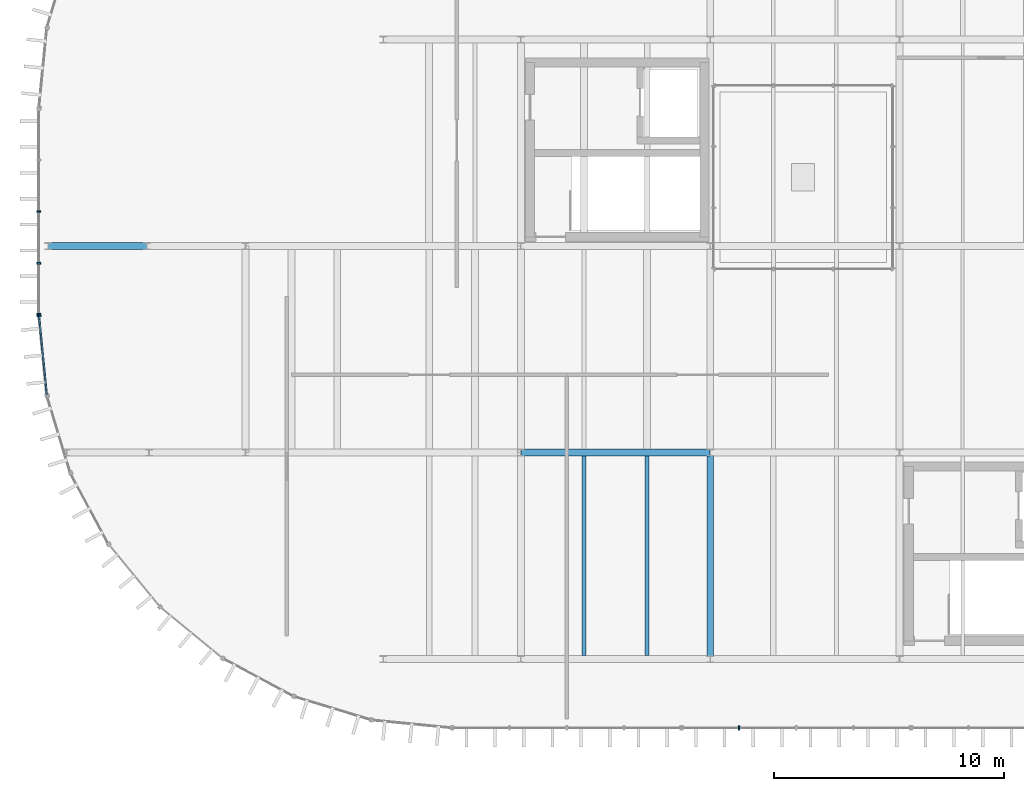
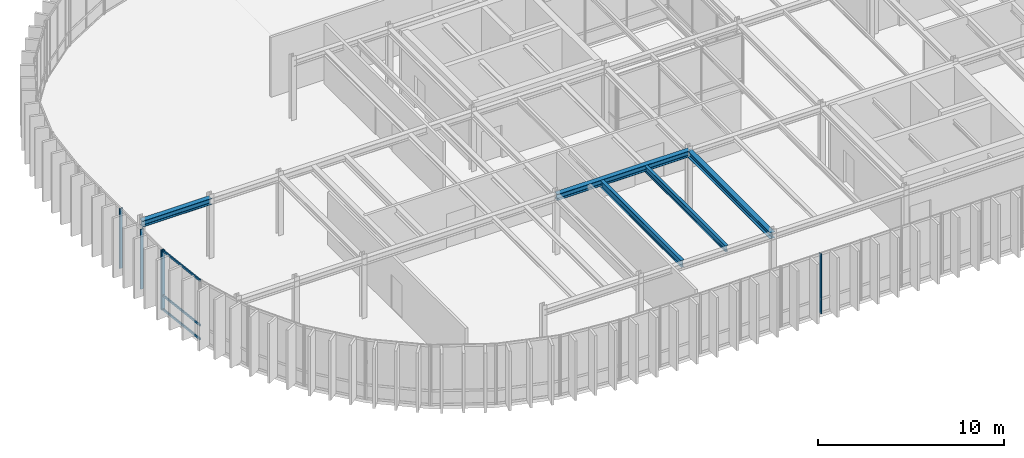
# One storey, part 7 of 21: 8 members, 5 beams, 3 elements without a shape of their own.
"""IFC4 building model written with IfcOpenShell, lengths in metres."""

import ifcopenshell
import ifcopenshell.guid

model = None  # the IFC model being written
_history = None  # IfcOwnerHistory: only IFC2X3 demands one
_inside = {}  # id of a spatial element -> (the spatial element, [elements in it])
_under = {}  # id of a project, library or spatial element -> (it, [spatial elements below it])
_declared = {}  # id of a project -> (the project, [libraries it declares])
_typed = {}  # id of a type object -> (the type object, [elements of that type])
_made_of = {}  # id of a material, layer set ... -> (it, [elements and type objects made of it])


def new_model(schema):
    """Start an empty IFC model of exactly this schema.

    Asked for "IFC4X3", IfcOpenShell would pick the latest addendum, in which some entities
    have other attributes; the version numbers below select the first issue.
    IFC2X3 requires an IfcOwnerHistory on every rooted entity: one is made here for all.
    """
    global model, _history
    if schema == "IFC4X3":
        model = ifcopenshell.file(schema_version=(4, 3, 0, 0))
    else:
        model = ifcopenshell.file(schema=schema)
    _inside.clear()
    _under.clear()
    _declared.clear()
    _typed.clear()
    _made_of.clear()
    _history = None
    if model.schema == "IFC2X3":
        org = make("IfcOrganization", Name="unknown")
        user = make(
            "IfcPersonAndOrganization",
            ThePerson=make("IfcPerson", FamilyName="unknown"),
            TheOrganization=org,
        )
        app = make(
            "IfcApplication",
            ApplicationDeveloper=org,
            Version="unknown",
            ApplicationFullName="unknown",
            ApplicationIdentifier="unknown",
        )
        _history = make(
            "IfcOwnerHistory",
            OwningUser=user,
            OwningApplication=app,
            ChangeAction="ADDED",
            CreationDate=0,
        )
    return model


def make(cls, **values):
    """One entity of the class cls with the attributes given. An attribute that is None is left unset."""
    return model.create_entity(
        cls, **{name: value for name, value in values.items() if value is not None}
    )


def rooted(cls, **values):
    """An entity with a GlobalId (a new one), such as an element, a storey or a relation."""
    return make(cls, GlobalId=ifcopenshell.guid.new(), OwnerHistory=_history, **values)


def si_unit(unit_type, name, prefix=None):
    """IfcSIUnit, for example si_unit("LENGTHUNIT", "METRE", prefix="MILLI")."""
    return make("IfcSIUnit", UnitType=unit_type, Prefix=prefix, Name=name)


def assignment(units):
    """IfcUnitAssignment: the units of a project."""
    return None if units is None else make("IfcUnitAssignment", Units=units)


def point(xyz):
    """IfcCartesianPoint."""
    return None if xyz is None else make("IfcCartesianPoint", Coordinates=xyz)


def direction(xyz):
    """IfcDirection."""
    return None if xyz is None else make("IfcDirection", DirectionRatios=xyz)


def frame(location, z_axis=None, x_axis=None):
    """IfcAxis2Placement3D, a coordinate frame: its origin and axes. An axis left out is left unset."""
    return make(
        "IfcAxis2Placement3D",
        Location=point(location),
        Axis=direction(z_axis),
        RefDirection=direction(x_axis),
    )


def frame_2d(location, x_axis=None):
    """IfcAxis2Placement2D, a coordinate frame in the plane: its origin and x axis."""
    return make(
        "IfcAxis2Placement2D", Location=point(location), RefDirection=direction(x_axis)
    )


def origin():
    """The frame at (0, 0, 0) with its axes left unset."""
    return frame((0.0, 0.0, 0.0))


def origin_2d():
    """The frame at (0, 0) in the plane with its x axis left unset."""
    return frame_2d((0.0, 0.0))


def place(relative_to, where):
    """IfcLocalPlacement: puts the frame where relative to a parent placement (None: the world)."""
    return make(
        "IfcLocalPlacement", PlacementRelTo=relative_to, RelativePlacement=where
    )


def context(
    kind, dimensions, precision=None, world=None, true_north=None, identifier=None
):
    """IfcGeometricRepresentationContext, for example the 3D "Model" context."""
    return make(
        "IfcGeometricRepresentationContext",
        ContextIdentifier=identifier,
        ContextType=kind,
        CoordinateSpaceDimension=dimensions,
        Precision=precision,
        WorldCoordinateSystem=world,
        TrueNorth=true_north,
    )


def subcontext(parent, identifier, kind, view, scale=None):
    """IfcGeometricRepresentationSubContext, for example "Body" below "Model"."""
    return make(
        "IfcGeometricRepresentationSubContext",
        ContextIdentifier=identifier,
        ContextType=kind,
        ParentContext=parent,
        TargetScale=scale,
        TargetView=view,
    )


def project(units=None, contexts=None):
    """IfcProject with its units and contexts."""
    return rooted(
        "IfcProject",
        Name="project",
        RepresentationContexts=contexts,
        UnitsInContext=assignment(units),
    )


def spatial(cls, under=None, at=None, **own):
    """A site, building, storey or space (cls), placed at a placement, below another one or the project."""
    s = rooted(cls, ObjectPlacement=at, **own)
    if under is not None:
        _under.setdefault(under.id(), (under, []))[1].append(s)
    return s


def profile(cls, at=None, kind="AREA", **sizes):
    """A parametric profile (cls). Its sizes go by their IFC names, for example OverallWidth=200.0."""
    return make(cls, ProfileType=kind, Position=at, **sizes)


def rectangle(**sizes):
    """IfcRectangleProfileDef."""
    return profile("IfcRectangleProfileDef", **sizes)


def i_section(**sizes):
    """IfcIShapeProfileDef."""
    return profile("IfcIShapeProfileDef", **sizes)


def extrude(swept, where, along, depth):
    """IfcExtrudedAreaSolid: the profile swept, set in the frame where, extruded along a direction by depth."""
    return make(
        "IfcExtrudedAreaSolid",
        SweptArea=swept,
        Position=where,
        ExtrudedDirection=direction(along),
        Depth=depth,
    )


def shape(context_of_items, identifier, shape_type, items):
    """IfcShapeRepresentation: the items that make up one representation, for example the "Body"."""
    return make(
        "IfcShapeRepresentation",
        ContextOfItems=context_of_items,
        RepresentationIdentifier=identifier,
        RepresentationType=shape_type,
        Items=items,
    )


def material(Name=None, Category=None):
    """IfcMaterial."""
    return make("IfcMaterial", Name=Name, Category=Category)


def layer(
    of_material, thickness, ventilated=None, Name=None, Category=None, Priority=None
):
    """IfcMaterialLayer: one layer of a wall or slab, of a material (None: an air gap)."""
    return make(
        "IfcMaterialLayer",
        Material=of_material,
        LayerThickness=thickness,
        IsVentilated=ventilated,
        Name=Name,
        Category=Category,
        Priority=Priority,
    )


def layer_set(layers, Name=None):
    """IfcMaterialLayerSet."""
    return make("IfcMaterialLayerSet", MaterialLayers=layers, LayerSetName=Name)


def material_profile(
    of_material, cross_section, Name=None, Category=None, Priority=None
):
    """IfcMaterialProfile: a cross section and its material."""
    return make(
        "IfcMaterialProfile",
        Name=Name,
        Material=of_material,
        Profile=cross_section,
        Priority=Priority,
        Category=Category,
    )


def profile_set(profiles, Name=None, composite=None):
    """IfcMaterialProfileSet."""
    return make(
        "IfcMaterialProfileSet",
        Name=Name,
        MaterialProfiles=profiles,
        CompositeProfile=composite,
    )


def made_of(thing, what):
    """Note that an element or type object is made of a material, layer set ...; save() writes the relation."""
    if what is not None:
        _made_of.setdefault(what.id(), (what, []))[1].append(thing)
    return thing


def type_object(cls, material=None, **own):
    """A type object (cls), such as IfcWallType, which elements share."""
    return made_of(rooted(cls, **own), material)


def element(
    cls,
    number,
    at=None,
    inside=None,
    cuts=None,
    type_object=None,
    material=None,
    context=None,
    identifier="Body",
    shape_type=None,
    held_by="IfcProductDefinitionShape",
    body=None,
    shapes=None,
    **own,
):
    """One element of the class cls, such as IfcWall. Its Tag is "e" and its number.

    at: its placement. inside: the storey or other place that contains it. cuts: it is an
    opening in that element (IfcRelVoidsElement). A single representation is given by context,
    identifier, shape_type and body (its items); several are given by shapes. held_by: the class
    of the entity that holds the representations. save() writes the other relations.
    """
    e = rooted(cls, Tag="e%d" % number, ObjectPlacement=at, **own)
    if body is not None:
        shapes = [shape(context, identifier, shape_type, body)]
    if shapes is not None:
        e.Representation = make(held_by, Representations=shapes)
    if inside is not None:
        _inside.setdefault(inside.id(), (inside, []))[1].append(e)
    if cuts is not None:
        rooted(
            "IfcRelVoidsElement", RelatingBuildingElement=cuts, RelatedOpeningElement=e
        )
    if type_object is not None:
        _typed.setdefault(type_object.id(), (type_object, []))[1].append(e)
    return made_of(e, material)


def aggregate(whole, parts):
    """IfcRelAggregates: a whole, such as a stair, and the parts it consists of."""
    return rooted("IfcRelAggregates", RelatingObject=whole, RelatedObjects=parts)


def save(model, path):
    """Write the relations noted so far, then the file.

    IfcRelAggregates (storeys below a building ...), IfcRelContainedInSpatialStructure (elements
    in a storey), IfcRelDefinesByType, IfcRelAssociatesMaterial and IfcRelDeclares: one each for
    every whole, place, type object, material and project.
    """
    for whole, parts in _under.values():
        aggregate(whole, parts)
    for where, things in _inside.values():
        rooted(
            "IfcRelContainedInSpatialStructure",
            RelatedElements=things,
            RelatingStructure=where,
        )
    for kind, things in _typed.values():
        rooted("IfcRelDefinesByType", RelatedObjects=things, RelatingType=kind)
    for what, things in _made_of.values():
        rooted("IfcRelAssociatesMaterial", RelatedObjects=things, RelatingMaterial=what)
    for by, libraries in _declared.values():
        rooted("IfcRelDeclares", RelatingContext=by, RelatedDefinitions=libraries)
    model.write(path)


model = new_model("IFC4")

# Units and contexts
model_context = context("Model", 3, precision=1e-05, world=origin(), true_north=direction((0.0, 1.0)))
body_context = subcontext(model_context, "Body", "Model", "MODEL_VIEW")
ifc_project = project(units=[si_unit("LENGTHUNIT", "METRE"), si_unit("AREAUNIT", "SQUARE_METRE"), si_unit("VOLUMEUNIT", "CUBIC_METRE"), si_unit("PLANEANGLEUNIT", "RADIAN"), si_unit("MASSUNIT", "GRAM", prefix="KILO")], contexts=[model_context])

# Site, building, storey
site_placement = place(None, origin())
site = spatial("IfcSite", under=ifc_project, at=site_placement, CompositionType="ELEMENT")
building_placement = place(site_placement, origin())
building = spatial("IfcBuilding", under=site, at=building_placement, Name="Montealbar Specialist Clinic", CompositionType="ELEMENT")
storey_placement = place(building_placement, frame((0.0, 0.0, 26.39990234375)))
storey = spatial("IfcBuildingStorey", under=building, at=storey_placement, Name="L06", CompositionType="ELEMENT", Elevation=26.39990234375)

# Beams
ifc_material_1 = material(Name="Steel S355", Category="steel")
ifc_material_profile_1 = material_profile(ifc_material_1, i_section(OverallWidth=0.300048828125, OverallDepth=0.39990234375, WebThickness=0.013427734375, FlangeThickness=0.02392578125, FilletRadius=0.027099609375, at=origin_2d()), Name="HEB 400", Category="steel")
ifc_profile_set_1 = profile_set([ifc_material_profile_1], Name="Steel S355")
beam_type_1 = type_object("IfcBeamType", Name="BM-GIRD-HEB400-EXT", PredefinedType="BEAM", material=ifc_profile_set_1)
beam_1_placement = place(storey_placement, frame((66.0, 18.0, 3.72998046875), z_axis=(1.0, 0.0, 0.0), x_axis=(0.0, 1.0, 0.0)))
element("IfcBeam", 1, at=beam_1_placement, inside=storey, type_object=beam_type_1, Name="Beam GX-L06-660-742-180", PredefinedType="BEAM", context=body_context, shape_type="SweptSolid", body=[
    extrude(i_section(OverallWidth=0.300048828125, OverallDepth=0.39990234375, WebThickness=0.013427734375, FlangeThickness=0.02392578125, FilletRadius=0.027099609375, at=origin_2d()), origin(), (0.0, 0.0, 1.0), 8.25),
])
beam_2_placement = place(storey_placement, frame((45.39990234375, 27.0, 3.72998046875), z_axis=(1.0, 0.0, 0.0), x_axis=(0.0, 1.0, 0.0)))
element("IfcBeam", 2, at=beam_2_placement, inside=storey, type_object=beam_type_1, Name="Beam GX-L06-454-497-270", PredefinedType="BEAM", context=body_context, shape_type="SweptSolid", body=[
    extrude(i_section(OverallWidth=0.300048828125, OverallDepth=0.39990234375, WebThickness=0.013427734375, FlangeThickness=0.02392578125, FilletRadius=0.027099609375, at=origin_2d()), origin(), (0.0, 0.0, 1.0), 4.300048828125),
])
beam_3_placement = place(storey_placement, frame((74.25, 9.0, 3.72998046875), z_axis=(0.0, 1.0, 0.0), x_axis=(-1.0, 0.0, 0.0)))
element("IfcBeam", 3, at=beam_3_placement, inside=storey, type_object=beam_type_1, Name="Beam GY-L06-742-90-180", PredefinedType="BEAM", context=body_context, shape_type="SweptSolid", body=[
    extrude(i_section(OverallWidth=0.300048828125, OverallDepth=0.39990234375, WebThickness=0.013427734375, FlangeThickness=0.02392578125, FilletRadius=0.027099609375, at=origin_2d()), origin(), (0.0, 0.0, 1.0), 9.0),
])
ifc_material_profile_2 = material_profile(ifc_material_1, i_section(OverallWidth=0.179931640625, OverallDepth=0.39990234375, WebThickness=0.008544921875, FlangeThickness=0.013427734375, FilletRadius=0.02099609375, at=origin_2d()), Name="IPE 400", Category="steel")
ifc_profile_set_2 = profile_set([ifc_material_profile_2], Name="Steel S355")
beam_type_2 = type_object("IfcBeamType", Name="BM-SEC-IPE400", PredefinedType="BEAM", material=ifc_profile_set_2)
beam_4_placement = place(storey_placement, frame((71.5, 9.14990234375, 3.72998046875), z_axis=(0.0, 1.0, 0.0), x_axis=(-1.0, 0.0, 0.0)))
element("IfcBeam", 4, at=beam_4_placement, inside=storey, type_object=beam_type_2, Name="Beam JST-L06-715-92-178", PredefinedType="BEAM", context=body_context, shape_type="SweptSolid", body=[
    extrude(i_section(OverallWidth=0.179931640625, OverallDepth=0.39990234375, WebThickness=0.008544921875, FlangeThickness=0.013427734375, FilletRadius=0.02099609375, at=origin_2d()), origin(), (0.0, 0.0, 1.0), 8.7001953125),
])
ifc_material_profile_3 = material_profile(ifc_material_1, i_section(OverallWidth=0.18994140625, OverallDepth=0.449951171875, WebThickness=0.009521484375, FlangeThickness=0.0146484375, FilletRadius=0.02099609375, at=origin_2d()), Name="IPE 450", Category="steel")
ifc_profile_set_3 = profile_set([ifc_material_profile_3], Name="Steel S355")
beam_type_3 = type_object("IfcBeamType", Name="BM-SEC-IPE450", PredefinedType="BEAM", material=ifc_profile_set_3)
beam_5_placement = place(storey_placement, frame((68.75, 9.14990234375, 3.705078125), z_axis=(0.0, 1.0, 0.0), x_axis=(-1.0, 0.0, 0.0)))
element("IfcBeam", 5, at=beam_5_placement, inside=storey, type_object=beam_type_3, Name="Beam JST-L06-688-92-178", PredefinedType="BEAM", context=body_context, shape_type="SweptSolid", body=[
    extrude(i_section(OverallWidth=0.18994140625, OverallDepth=0.449951171875, WebThickness=0.009521484375, FlangeThickness=0.0146484375, FilletRadius=0.02099609375, at=origin_2d()), origin(), (0.0, 0.0, 1.0), 8.7001953125),
])

# Curtain wall, members
ifc_material_2 = material(Name="Low-E double glazing", Category="glass")
ifc_layer_1 = layer(ifc_material_2, 0.199951171875, Name="Low-E double glazing", Category="glass")
ifc_layer_set_1 = layer_set([ifc_layer_1], Name="Low-E double glazing")
curtain_wall_type_1 = type_object("IfcCurtainWallType", Name="CW-TYPE-42", PredefinedType="NOTDEFINED", material=ifc_layer_set_1)
curtain_wall_1_placement = place(storey_placement, origin())
curtain_wall_1 = element("IfcCurtainWall", 6, at=curtain_wall_1_placement, inside=storey, type_object=curtain_wall_type_1, Name="Unitised Curtain Wall CW-L06-450-240-450-330-264", PredefinedType="NOTDEFINED")
ifc_material_3 = material(Name="Anodised aluminium EN AW-6063", Category="aluminium")
ifc_material_profile_4 = material_profile(ifc_material_3, rectangle(XDim=0.070068359375, YDim=0.179931640625, at=origin_2d()), Name="ALU 70x180", Category="aluminium")
ifc_profile_set_4 = profile_set([ifc_material_profile_4], Name="Anodised aluminium EN AW-6063")
member_type_1 = type_object("IfcMemberType", Name="CW-MUL-200", PredefinedType="MULLION", material=ifc_profile_set_4)
member_1_placement = place(storey_placement, frame((45.0, 24.0400390625, 0.0), z_axis=(0.0, 0.0, 1.0), x_axis=(0.0, 1.0, 0.0)))
member_1 = element("IfcMember", 7, at=member_1_placement, type_object=member_type_1, Name="Curtain Wall Mullion CW-L06-450-240-450-330-264-00", PredefinedType="MULLION", context=body_context, shape_type="SweptSolid", body=[
    extrude(rectangle(XDim=0.070068359375, YDim=0.179931640625, at=origin_2d()), origin(), (0.0, 0.0, 1.0), 3.93017578125),
])
member_2_placement = place(storey_placement, frame((45.0, 26.25, 0.0), z_axis=(0.0, 0.0, 1.0), x_axis=(0.0, 1.0, 0.0)))
member_2 = element("IfcMember", 8, at=member_2_placement, type_object=member_type_1, Name="Curtain Wall Mullion CW-L06-450-240-450-330-264-01", PredefinedType="MULLION", context=body_context, shape_type="SweptSolid", body=[
    extrude(rectangle(XDim=0.070068359375, YDim=0.179931640625, at=origin_2d()), origin(), (0.0, 0.0, 1.0), 3.93017578125),
])
member_3_placement = place(storey_placement, frame((45.0, 28.5, 0.0), z_axis=(0.0, 0.0, 1.0), x_axis=(0.0, 1.0, 0.0)))
member_3 = element("IfcMember", 9, at=member_3_placement, type_object=member_type_1, Name="Curtain Wall Mullion CW-L06-450-240-450-330-264-02", PredefinedType="MULLION", context=body_context, shape_type="SweptSolid", body=[
    extrude(rectangle(XDim=0.070068359375, YDim=0.179931640625, at=origin_2d()), origin(), (0.0, 0.0, 1.0), 3.93017578125),
])
aggregate(curtain_wall_1, [member_1, member_2, member_3])

# Curtain wall, member
ifc_layer_2 = layer(ifc_material_2, 0.199951171875, Name="Low-E double glazing", Category="glass")
ifc_layer_set_2 = layer_set([ifc_layer_2], Name="Low-E double glazing")
curtain_wall_type_2 = type_object("IfcCurtainWallType", Name="CW-TYPE-43", PredefinedType="NOTDEFINED", material=ifc_layer_set_2)
curtain_wall_2_placement = place(storey_placement, origin())
curtain_wall_2 = element("IfcCurtainWall", 10, at=curtain_wall_2_placement, inside=storey, type_object=curtain_wall_type_2, Name="Unitised Curtain Wall CW-L06-830-60-730-60-264", PredefinedType="NOTDEFINED")
member_4_placement = place(storey_placement, frame((75.5, 6.0, 0.0), z_axis=(0.0, 0.0, 1.0), x_axis=(-1.0, 0.0, 0.0)))
member_4 = element("IfcMember", 11, at=member_4_placement, type_object=member_type_1, Name="Curtain Wall Mullion CW-L06-830-60-730-60-264-03", PredefinedType="MULLION", context=body_context, shape_type="SweptSolid", body=[
    extrude(rectangle(XDim=0.070068359375, YDim=0.179931640625, at=origin_2d()), origin(), (0.0, 0.0, 1.0), 3.93017578125),
])
aggregate(curtain_wall_2, [member_4])

# Curtain wall, members
ifc_layer_3 = layer(ifc_material_2, 0.199951171875, Name="Low-E double glazing", Category="glass")
ifc_layer_set_3 = layer_set([ifc_layer_3], Name="Low-E double glazing")
curtain_wall_type_3 = type_object("IfcCurtainWallType", Name="CW-TYPE-12", PredefinedType="NOTDEFINED", material=ifc_layer_set_3)
curtain_wall_3_placement = place(storey_placement, origin())
curtain_wall_3 = element("IfcCurtainWall", 12, at=curtain_wall_3_placement, inside=storey, type_object=curtain_wall_type_3, Name="Unitised Curtain Wall CW-L06-453-205-450-240-264", PredefinedType="NOTDEFINED")
member_5_placement = place(storey_placement, frame((45.00390625, 23.9599609375, 0.0), z_axis=(0.0, 0.0, 1.0), x_axis=(-0.098044697094, 0.995182012183, 0.0)))
member_5 = element("IfcMember", 13, at=member_5_placement, type_object=member_type_1, Name="Curtain Wall Mullion CW-L06-453-205-450-240-264-01", PredefinedType="MULLION", context=body_context, shape_type="SweptSolid", body=[
    extrude(rectangle(XDim=0.070068359375, YDim=0.179931640625, at=origin_2d()), origin(), (0.0, 0.0, 1.0), 3.93017578125),
])
ifc_material_4 = material(Name="Powder-coated aluminium", Category="aluminium")
ifc_material_profile_5 = material_profile(ifc_material_4, rectangle(XDim=0.070068359375, YDim=0.139892578125, at=origin_2d()), Name="ALU 70x140", Category="aluminium")
ifc_profile_set_5 = profile_set([ifc_material_profile_5], Name="Powder-coated aluminium")
member_type_2 = type_object("IfcMemberType", Name="CW-TRN-140", PredefinedType="USERDEFINED", material=ifc_profile_set_5)
member_6_placement = place(storey_placement, frame((45.341064453125, 20.5380859375, 0.0400390625), z_axis=(-0.098058232162, 0.995180678623, 0.0), x_axis=(-0.995180678623, -0.098058232162, 0.0)))
member_6 = element("IfcMember", 14, at=member_6_placement, type_object=member_type_2, Name="Curtain Wall Transom CW-L06-453-205-450-240-264-00", ObjectType="TRANSOM", PredefinedType="USERDEFINED", context=body_context, shape_type="SweptSolid", body=[
    extrude(rectangle(XDim=0.070068359375, YDim=0.139892578125, at=origin_2d()), origin(), (0.0, 0.0, 1.0), 3.428466796875),
])
member_7_placement = place(storey_placement, frame((45.341064453125, 20.5380859375, 0.9501953125), z_axis=(-0.098058232162, 0.995180678623, 0.0), x_axis=(-0.995180678623, -0.098058232162, 0.0)))
member_7 = element("IfcMember", 15, at=member_7_placement, type_object=member_type_2, Name="Curtain Wall Transom CW-L06-453-205-450-240-264-01", ObjectType="TRANSOM", PredefinedType="USERDEFINED", context=body_context, shape_type="SweptSolid", body=[
    extrude(rectangle(XDim=0.070068359375, YDim=0.139892578125, at=origin_2d()), origin(), (0.0, 0.0, 1.0), 3.428466796875),
])
member_8_placement = place(storey_placement, frame((45.341064453125, 20.5380859375, 3.89013671875), z_axis=(-0.098058232162, 0.995180678623, 0.0), x_axis=(-0.995180678623, -0.098058232162, 0.0)))
member_8 = element("IfcMember", 16, at=member_8_placement, type_object=member_type_2, Name="Curtain Wall Transom CW-L06-453-205-450-240-264-02", ObjectType="TRANSOM", PredefinedType="USERDEFINED", context=body_context, shape_type="SweptSolid", body=[
    extrude(rectangle(XDim=0.070068359375, YDim=0.139892578125, at=origin_2d()), origin(), (0.0, 0.0, 1.0), 3.428466796875),
])
aggregate(curtain_wall_3, [member_5, member_6, member_7, member_8])

save(model, "model.ifc")
